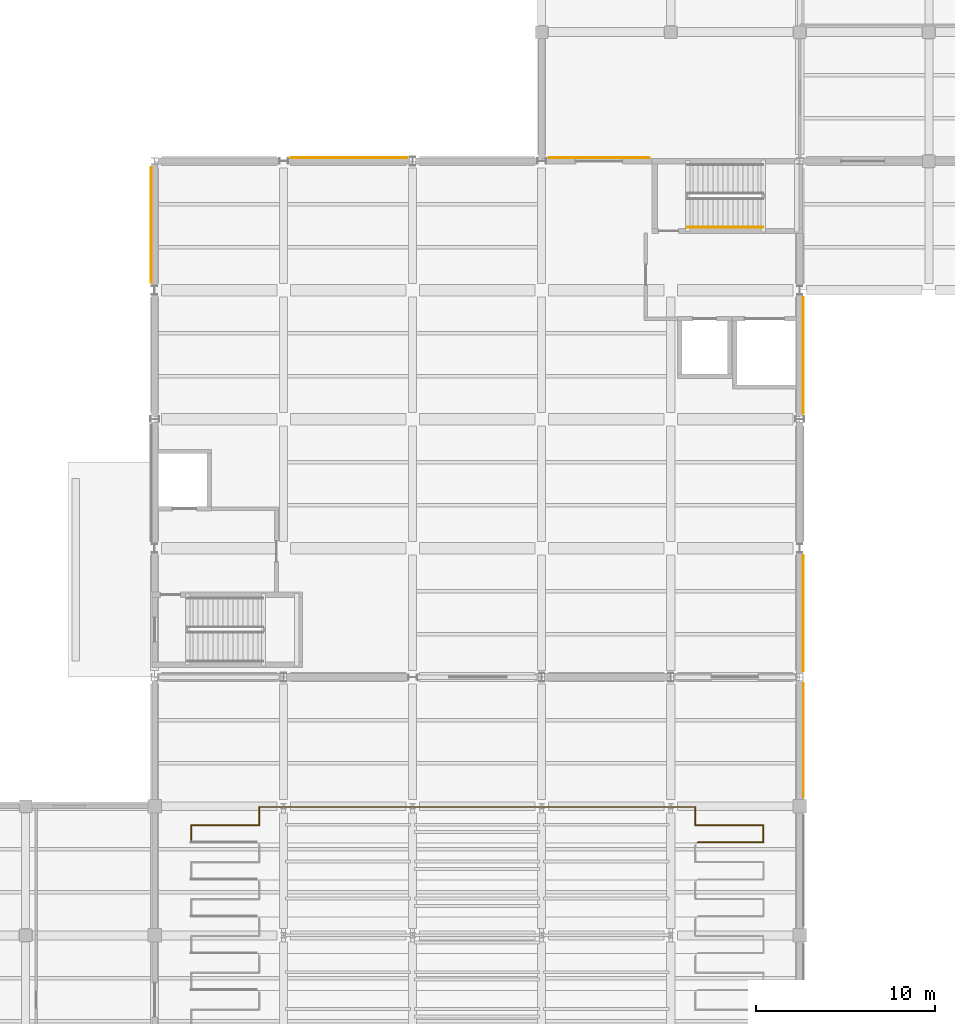
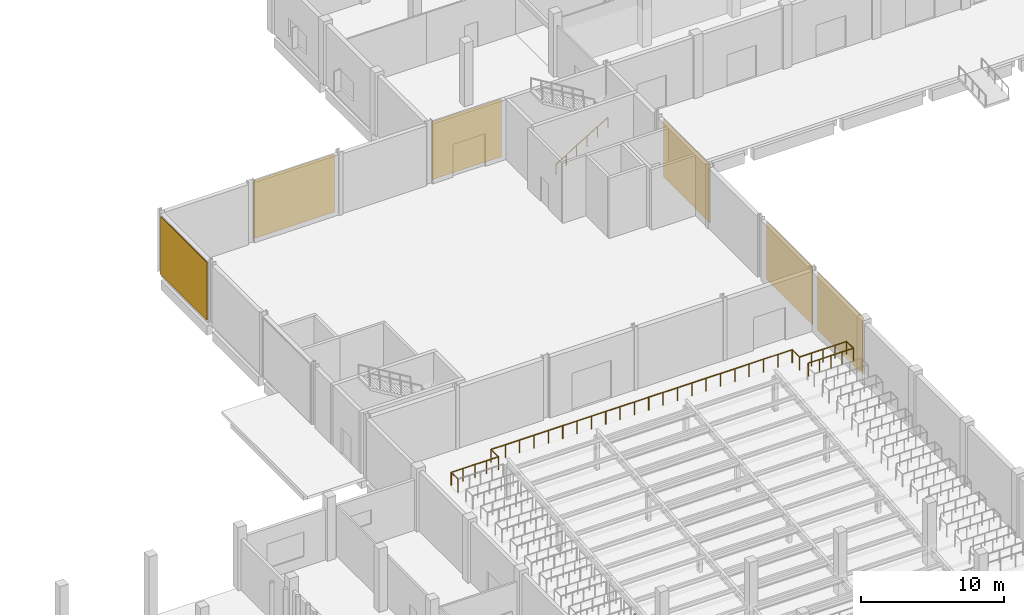
# One storey, part 42 of 46: 6 coverings, 2 railings.
"""IFC4 building model written with IfcOpenShell, lengths in metres."""

from ifc_helpers import new_model, si_unit, direction, frame, origin, origin_2d, place, context, subcontext, project, spatial, rectangle, circle, extrude, material, layer, layer_set, type_object, element, save


model = new_model("IFC4")

# Units and contexts
model_context = context("Model", 3, precision=1e-05, world=origin(), true_north=direction((0.0, 1.0)))
body_context = subcontext(model_context, "Body", "Model", "MODEL_VIEW")
ifc_project = project(units=[si_unit("LENGTHUNIT", "METRE"), si_unit("AREAUNIT", "SQUARE_METRE"), si_unit("VOLUMEUNIT", "CUBIC_METRE"), si_unit("PLANEANGLEUNIT", "RADIAN"), si_unit("MASSUNIT", "GRAM", prefix="KILO"), si_unit("THERMODYNAMICTEMPERATUREUNIT", "KELVIN"), si_unit("POWERUNIT", "WATT")], contexts=[model_context])

# Site, building, storey
site_placement = place(None, origin())
site = spatial("IfcSite", under=ifc_project, at=site_placement, CompositionType="ELEMENT")
building_placement = place(site_placement, origin())
building = spatial("IfcBuilding", under=site, at=building_placement, Name="Kaldorven Railside Theatre", CompositionType="ELEMENT")
storey_placement = place(building_placement, origin())
storey = spatial("IfcBuildingStorey", under=building, at=storey_placement, Name="L00", CompositionType="ELEMENT", Elevation=0.0)

# Coverings
ifc_material_1 = material(Name="Bush-hammered precast concrete C40/50", Category="concrete")
ifc_layer = layer(ifc_material_1, 0.050048828125, Name="Bush-hammered precast concrete C40/50")
ifc_layer_set = layer_set([ifc_layer], Name="Bush-hammered precast concrete C40/50")
covering_type = type_object("IfcCoveringType", Name="COV-CLD-01", PredefinedType="CLADDING", material=ifc_layer_set)
covering_1_placement = place(storey_placement, frame((123.410888671875, 80.494384765625, 0.10009765625), z_axis=(0.0, 0.0, 1.0), x_axis=(0.0, -1.0, 0.0)))
element("IfcCovering", 1, at=covering_1_placement, inside=storey, type_object=covering_type, Name="Bush-Hammered Laterite Rainscreen Panel CLD-001", PredefinedType="CLADDING", context=body_context, shape_type="SweptSolid", body=[
    extrude(rectangle(XDim=6.339111328125, YDim=0.050048828125, at=origin_2d()), origin(), (0.0, 0.0, 1.0), 4.89990234375),
])
covering_2_placement = place(storey_placement, frame((87.00390625, 109.23291015625, 0.10009765625), z_axis=(0.0, 0.0, 1.0), x_axis=(0.0, 1.0, 0.0)))
element("IfcCovering", 2, at=covering_2_placement, inside=storey, type_object=covering_type, Name="Bush-Hammered Laterite Rainscreen Panel CLD-030", PredefinedType="CLADDING", context=body_context, shape_type="SweptSolid", body=[
    extrude(rectangle(XDim=6.466064453125, YDim=0.050048828125, at=origin_2d()), origin(), (0.0, 0.0, 1.0), 4.949951171875),
])
covering_3_placement = place(storey_placement, frame((98.050048828125, 112.99609375, 0.10009765625), z_axis=(0.0, 0.0, 1.0), x_axis=(1.0, 0.0, 0.0)))
element("IfcCovering", 3, at=covering_3_placement, inside=storey, type_object=covering_type, Name="Bush-Hammered Laterite Rainscreen Panel CLD-031", PredefinedType="CLADDING", context=body_context, shape_type="SweptSolid", body=[
    extrude(rectangle(XDim=6.5, YDim=0.050048828125, at=origin_2d()), origin(), (0.0, 0.0, 1.0), 4.949951171875),
])
covering_4_placement = place(storey_placement, frame((112.0, 112.99609375, 0.10009765625), z_axis=(0.0, 0.0, 1.0), x_axis=(1.0, 0.0, 0.0)))
element("IfcCovering", 4, at=covering_4_placement, inside=storey, type_object=covering_type, Name="Bush-Hammered Laterite Rainscreen Panel CLD-032", PredefinedType="CLADDING", context=body_context, shape_type="SweptSolid", body=[
    extrude(rectangle(XDim=5.60009765625, YDim=0.050048828125, at=origin_2d()), origin(), (0.0, 0.0, 1.0), 4.919921875),
])
covering_5_placement = place(storey_placement, frame((123.39599609375, 101.949951171875, 0.10009765625), z_axis=(0.0, 0.0, 1.0), x_axis=(0.0, -1.0, 0.0)))
element("IfcCovering", 5, at=covering_5_placement, inside=storey, type_object=covering_type, Name="Bush-Hammered Laterite Rainscreen Panel CLD-033", PredefinedType="CLADDING", context=body_context, shape_type="SweptSolid", body=[
    extrude(rectangle(XDim=6.5, YDim=0.050048828125, at=origin_2d()), origin(), (0.0, 0.0, 1.0), 4.949951171875),
])
covering_6_placement = place(storey_placement, frame((123.39599609375, 87.568115234375, 0.10009765625), z_axis=(0.0, 0.0, 1.0), x_axis=(0.0, -1.0, 0.0)))
element("IfcCovering", 6, at=covering_6_placement, inside=storey, type_object=covering_type, Name="Bush-Hammered Laterite Rainscreen Panel CLD-034", PredefinedType="CLADDING", context=body_context, shape_type="SweptSolid", body=[
    extrude(rectangle(XDim=6.464111328125, YDim=0.050048828125, at=origin_2d()), origin(), (0.0, 0.0, 1.0), 4.949951171875),
])

# Railings
ifc_material_2 = material(Name="Anodised bronze aluminium", Category="aluminium")
railing_type_1 = type_object("IfcRailingType", Name="RLG-BAL-1100", PredefinedType="BALUSTRADE", material=ifc_material_2)
railing_1_placement = place(storey_placement, frame((89.239990234375, 74.781005859375, 3.590087890625)))
element("IfcRailing", 7, at=railing_1_placement, inside=storey, type_object=railing_type_1, Name="L00 Auditorium Tier Safety Guard GR-036", PredefinedType="BALUSTRADE", context=body_context, shape_type="SweptSolid", body=[
    extrude(circle(Radius=0.02392578125, at=origin_2d()), frame((0.0, 0.0, 1.09619140625), z_axis=(0.0, 1.0, 0.0), x_axis=(-1.0, 0.0, 0.0)), (0.0, 0.0, 1.0), 0.948974609375),
    extrude(circle(Radius=0.02392578125, at=origin_2d()), frame((0.0, 0.948974609375, 1.09619140625), z_axis=(1.0, 0.0, 0.0), x_axis=(0.0, 1.0, 0.0)), (0.0, 0.0, 1.0), 3.800048828125),
    extrude(circle(Radius=0.02392578125, at=origin_2d()), frame((3.800048828125, 0.948974609375, 1.09619140625), z_axis=(0.0, 1.0, 0.0), x_axis=(-1.0, 0.0, 0.0)), (0.0, 0.0, 1.0), 1.028076171875),
    extrude(circle(Radius=0.02392578125, at=origin_2d()), frame((3.800048828125, 1.97705078125, 1.09619140625), z_axis=(1.0, 0.0, 0.0), x_axis=(0.0, 1.0, 0.0)), (0.0, 0.0, 1.0), 24.320068359375),
    extrude(circle(Radius=0.02392578125, at=origin_2d()), frame((28.1201171875, 1.97705078125, 1.09619140625), z_axis=(0.0, -1.0, 0.0), x_axis=(1.0, 0.0, 0.0)), (0.0, 0.0, 1.0), 1.028076171875),
    extrude(circle(Radius=0.02392578125, at=origin_2d()), frame((28.1201171875, 0.948974609375, 1.09619140625), z_axis=(1.0, 0.0, 0.0), x_axis=(0.0, 1.0, 0.0)), (0.0, 0.0, 1.0), 3.7998046875),
    extrude(circle(Radius=0.02392578125, at=origin_2d()), frame((31.919921875, 0.948974609375, 1.09619140625), z_axis=(0.0, -1.0, 0.0), x_axis=(1.0, 0.0, 0.0)), (0.0, 0.0, 1.0), 0.948974609375),
    extrude(circle(Radius=0.02392578125, at=origin_2d()), frame((31.919921875, 0.0, 1.09619140625), z_axis=(-1.0, 0.0, 0.0), x_axis=(0.0, -1.0, 0.0)), (0.0, 0.0, 1.0), 3.64697265625),
    extrude(circle(Radius=0.02099609375, at=origin_2d()), origin(), (0.0, 0.0, 1.0), 1.072021484375),
    extrude(circle(Radius=0.02099609375, at=origin_2d()), frame((0.0, 0.948974609375, 0.0)), (0.0, 0.0, 1.0), 1.072021484375),
    extrude(circle(Radius=0.02099609375, at=origin_2d()), frame((0.949951171875, 0.948974609375, 0.0)), (0.0, 0.0, 1.0), 1.072021484375),
    extrude(circle(Radius=0.02099609375, at=origin_2d()), frame((1.89990234375, 0.948974609375, 0.0)), (0.0, 0.0, 1.0), 1.072021484375),
    extrude(circle(Radius=0.02099609375, at=origin_2d()), frame((2.85009765625, 0.948974609375, 0.0)), (0.0, 0.0, 1.0), 1.072021484375),
    extrude(circle(Radius=0.02099609375, at=origin_2d()), frame((3.800048828125, 0.948974609375, 0.0)), (0.0, 0.0, 1.0), 1.072021484375),
    extrude(circle(Radius=0.02099609375, at=origin_2d()), frame((3.800048828125, 1.97705078125, 0.0)), (0.0, 0.0, 1.0), 1.072021484375),
    extrude(circle(Radius=0.02099609375, at=origin_2d()), frame((4.958251953125, 1.97705078125, 0.0)), (0.0, 0.0, 1.0), 1.072021484375),
    extrude(circle(Radius=0.02099609375, at=origin_2d()), frame((6.1162109375, 1.97705078125, 0.0)), (0.0, 0.0, 1.0), 1.072021484375),
    extrude(circle(Radius=0.02099609375, at=origin_2d()), frame((7.2744140625, 1.97705078125, 0.0)), (0.0, 0.0, 1.0), 1.072021484375),
    extrude(circle(Radius=0.02099609375, at=origin_2d()), frame((8.432373046875, 1.97705078125, 0.0)), (0.0, 0.0, 1.0), 1.072021484375),
    extrude(circle(Radius=0.02099609375, at=origin_2d()), frame((9.590576171875, 1.97705078125, 0.0)), (0.0, 0.0, 1.0), 1.072021484375),
    extrude(circle(Radius=0.02099609375, at=origin_2d()), frame((10.74853515625, 1.97705078125, 0.0)), (0.0, 0.0, 1.0), 1.072021484375),
    extrude(circle(Radius=0.02099609375, at=origin_2d()), frame((11.90673828125, 1.97705078125, 0.0)), (0.0, 0.0, 1.0), 1.072021484375),
    extrude(circle(Radius=0.02099609375, at=origin_2d()), frame((13.06494140625, 1.97705078125, 0.0)), (0.0, 0.0, 1.0), 1.072021484375),
    extrude(circle(Radius=0.02099609375, at=origin_2d()), frame((14.222900390625, 1.97705078125, 0.0)), (0.0, 0.0, 1.0), 1.072021484375),
    extrude(circle(Radius=0.02099609375, at=origin_2d()), frame((15.381103515625, 1.97705078125, 0.0)), (0.0, 0.0, 1.0), 1.072021484375),
    extrude(circle(Radius=0.02099609375, at=origin_2d()), frame((16.5390625, 1.97705078125, 0.0)), (0.0, 0.0, 1.0), 1.072021484375),
    extrude(circle(Radius=0.02099609375, at=origin_2d()), frame((17.697265625, 1.97705078125, 0.0)), (0.0, 0.0, 1.0), 1.072021484375),
    extrude(circle(Radius=0.02099609375, at=origin_2d()), frame((18.855224609375, 1.97705078125, 0.0)), (0.0, 0.0, 1.0), 1.072021484375),
    extrude(circle(Radius=0.02099609375, at=origin_2d()), frame((20.013427734375, 1.97705078125, 0.0)), (0.0, 0.0, 1.0), 1.072021484375),
    extrude(circle(Radius=0.02099609375, at=origin_2d()), frame((21.171630859375, 1.97705078125, 0.0)), (0.0, 0.0, 1.0), 1.072021484375),
    extrude(circle(Radius=0.02099609375, at=origin_2d()), frame((22.32958984375, 1.97705078125, 0.0)), (0.0, 0.0, 1.0), 1.072021484375),
    extrude(circle(Radius=0.02099609375, at=origin_2d()), frame((23.48779296875, 1.97705078125, 0.0)), (0.0, 0.0, 1.0), 1.072021484375),
    extrude(circle(Radius=0.02099609375, at=origin_2d()), frame((24.645751953125, 1.97705078125, 0.0)), (0.0, 0.0, 1.0), 1.072021484375),
    extrude(circle(Radius=0.02099609375, at=origin_2d()), frame((25.803955078125, 1.97705078125, 0.0)), (0.0, 0.0, 1.0), 1.072021484375),
    extrude(circle(Radius=0.02099609375, at=origin_2d()), frame((26.9619140625, 1.97705078125, 0.0)), (0.0, 0.0, 1.0), 1.072021484375),
    extrude(circle(Radius=0.02099609375, at=origin_2d()), frame((28.1201171875, 1.97705078125, 0.0)), (0.0, 0.0, 1.0), 1.072021484375),
    extrude(circle(Radius=0.02099609375, at=origin_2d()), frame((28.1201171875, 0.948974609375, 0.0)), (0.0, 0.0, 1.0), 1.072021484375),
    extrude(circle(Radius=0.02099609375, at=origin_2d()), frame((29.070068359375, 0.948974609375, 0.0)), (0.0, 0.0, 1.0), 1.072021484375),
    extrude(circle(Radius=0.02099609375, at=origin_2d()), frame((30.02001953125, 0.948974609375, 0.0)), (0.0, 0.0, 1.0), 1.072021484375),
    extrude(circle(Radius=0.02099609375, at=origin_2d()), frame((30.969970703125, 0.948974609375, 0.0)), (0.0, 0.0, 1.0), 1.072021484375),
    extrude(circle(Radius=0.02099609375, at=origin_2d()), frame((31.919921875, 0.948974609375, 0.0)), (0.0, 0.0, 1.0), 1.072021484375),
    extrude(circle(Radius=0.02099609375, at=origin_2d()), frame((31.919921875, 0.0, 0.0)), (0.0, 0.0, 1.0), 1.072021484375),
    extrude(circle(Radius=0.02099609375, at=origin_2d()), frame((31.00830078125, 0.0, 0.0)), (0.0, 0.0, 1.0), 1.072021484375),
    extrude(circle(Radius=0.02099609375, at=origin_2d()), frame((30.096435546875, 0.0, 0.0)), (0.0, 0.0, 1.0), 1.072021484375),
    extrude(circle(Radius=0.02099609375, at=origin_2d()), frame((29.1845703125, 0.0, 0.0)), (0.0, 0.0, 1.0), 1.072021484375),
    extrude(circle(Radius=0.02099609375, at=origin_2d()), frame((28.27294921875, 0.0, 0.0)), (0.0, 0.0, 1.0), 1.072021484375),
])
ifc_material_3 = material(Name="Steel S355", Category="steel")
railing_type_2 = type_object("IfcRailingType", Name="RLG-STH-900", PredefinedType="HANDRAIL", material=ifc_material_3)
railing_2_placement = place(storey_placement, frame((116.949951171875, 109.10009765625, 0.168701171875)))
element("IfcRailing", 8, at=railing_2_placement, inside=storey, type_object=railing_type_2, Name="L00 ST-06 stair handrail 1", PredefinedType="HANDRAIL", context=body_context, shape_type="SweptSolid", body=[
    extrude(circle(Radius=0.02392578125, at=origin_2d()), frame((0.0, 0.0, 0.8759765625), z_axis=(0.856476492594, 0.0, 0.516186030065), x_axis=(0.0, 1.0, 0.0)), (0.0, 0.0, 1.0), 4.90380859375),
    extrude(circle(Radius=0.02099609375, at=origin_2d()), origin(), (0.0, 0.0, 1.0), 0.851806640625),
    extrude(circle(Radius=0.02099609375, at=origin_2d()), frame((0.840087890625, 0.0, 0.50634765625)), (0.0, 0.0, 1.0), 0.851806640625),
    extrude(circle(Radius=0.02099609375, at=origin_2d()), frame((1.679931640625, 0.0, 1.012451171875)), (0.0, 0.0, 1.0), 0.851806640625),
    extrude(circle(Radius=0.02099609375, at=origin_2d()), frame((2.52001953125, 0.0, 1.518798828125)), (0.0, 0.0, 1.0), 0.851806640625),
    extrude(circle(Radius=0.02099609375, at=origin_2d()), frame((3.35986328125, 0.0, 2.02490234375)), (0.0, 0.0, 1.0), 0.851806640625),
    extrude(circle(Radius=0.02099609375, at=origin_2d()), frame((4.199951171875, 0.0, 2.53125)), (0.0, 0.0, 1.0), 0.851806640625),
])

save(model, "model.ifc")
